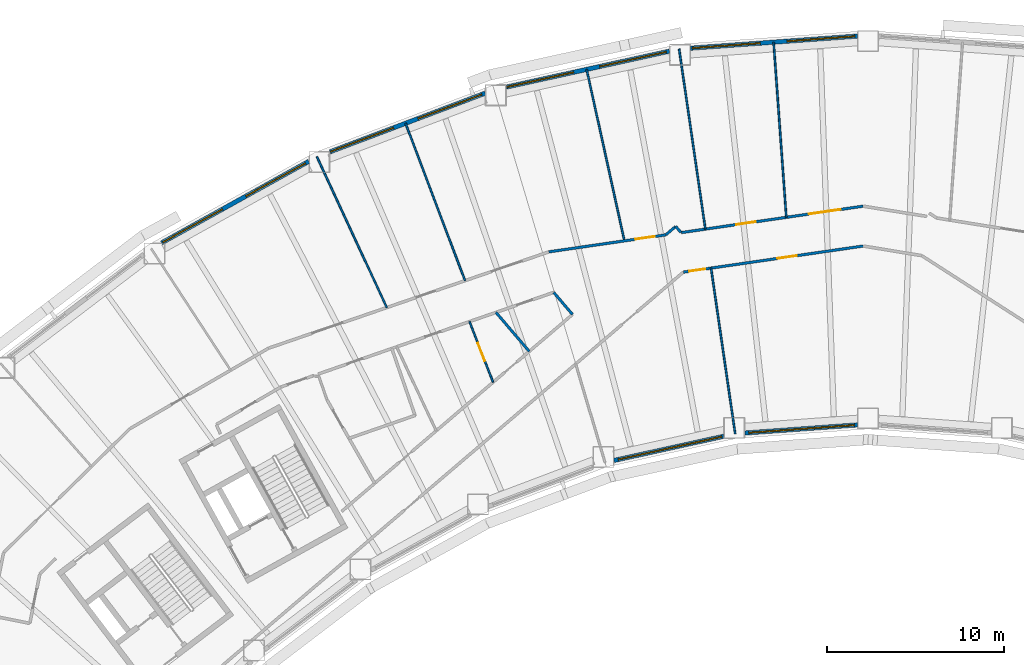
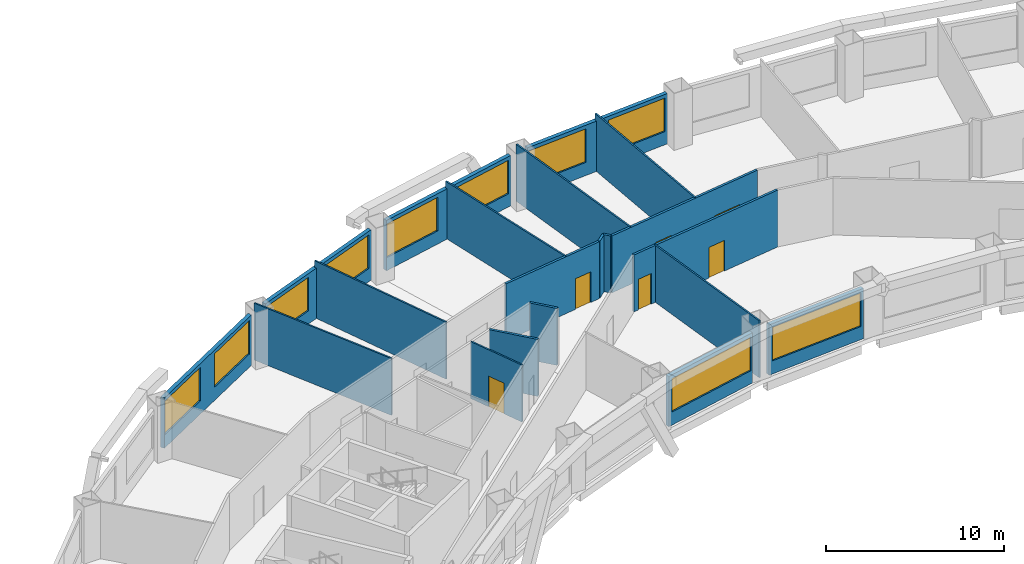
# One storey, part 5 of 15: 20 walls, 10 windows, 6 doors, 16 openings.
"""IFC4 building model written with IfcOpenShell, lengths in metres."""

from ifc_helpers import new_model, si_unit, direction, frame, frame_2d, origin, place, context, subcontext, project, spatial, rectangle, extrude, material, layer, layer_set, type_object, element, fill, save


model = new_model("IFC4")

# Units and contexts
model_context = context("Model", 3, precision=1e-05, world=origin(), true_north=direction((0.0, 1.0)))
body_context = subcontext(model_context, "Body", "Model", "MODEL_VIEW")
ifc_project = project(units=[si_unit("LENGTHUNIT", "METRE"), si_unit("AREAUNIT", "SQUARE_METRE"), si_unit("VOLUMEUNIT", "CUBIC_METRE"), si_unit("PLANEANGLEUNIT", "RADIAN"), si_unit("MASSUNIT", "GRAM", prefix="KILO")], contexts=[model_context])

# Site, building, storey
site_placement = place(None, origin())
site = spatial("IfcSite", under=ifc_project, at=site_placement, CompositionType="ELEMENT")
building_placement = place(site_placement, origin())
building = spatial("IfcBuilding", under=site, at=building_placement, Name="Tuul Gate Civic Tower", CompositionType="ELEMENT")
storey_placement = place(building_placement, frame((0.0, 0.0, 78.0)))
storey = spatial("IfcBuildingStorey", under=building, at=storey_placement, Name="Level 17", CompositionType="ELEMENT", Elevation=78.0)

# Wall, opening, door
ifc_material_1 = material(Name="Gypsum board partition")
ifc_layer_1 = layer(ifc_material_1, 0.14990234375)
ifc_layer_set_1 = layer_set([ifc_layer_1], Name="Gypsum board partition")
wall_type_1 = type_object("IfcWallType", Name="Corridor wall P150", PredefinedType="PARTITIONING", material=ifc_layer_set_1)
wall_1_placement = place(storey_placement, frame((-13.267333984375, 6.775634765625, 0.0), z_axis=(0.0, 0.0, 1.0), x_axis=(0.989601938801, 0.143833246233, 0.0)))
wall_1 = element("IfcWall", 1, at=wall_1_placement, inside=storey, type_object=wall_type_1, Name="p026", PredefinedType="PARTITIONING", context=body_context, shape_type="SweptSolid", body=[
    extrude(rectangle(XDim=6.687744140625, YDim=0.14990234375, at=frame_2d((3.34375, 0.0))), origin(), (0.0, 0.0, 1.0), 3.89990234375),
])
opening_1_placement = place(wall_1_placement, frame((4.95703125, 0.0, 0.0)))
opening_1 = element("IfcOpeningElement", 2, at=opening_1_placement, cuts=wall_1, Name="Opening E-D09", PredefinedType="OPENING", context=body_context, shape_type="SweptSolid", body=[
    extrude(rectangle(XDim=1.10009765625, YDim=2.10009765625, at=frame_2d((0.550048828125, 1.050048828125))), frame((0.0, 0.0849609375, 0.0), z_axis=(0.0, -1.0, 0.0), x_axis=(1.0, 0.0, 0.0)), (0.0, 0.0, 1.0), 0.169921875),
])
ifc_material_2 = material(Name="Timber door leaf", Category="wood")
door_type_1 = type_object("IfcDoorType", Name="Door D11", OperationType="NOTDEFINED", PredefinedType="DOOR", material=ifc_material_2)
door_1_placement = place(opening_1_placement, origin())
door_1 = element("IfcDoor", 3, at=door_1_placement, inside=storey, type_object=door_type_1, Name="Door E-D09", OperationType="SINGLE_SWING_LEFT", OverallHeight=2.10009765625, OverallWidth=1.10009765625, PredefinedType="DOOR", context=body_context, shape_type="SweptSolid", body=[
    extrude(rectangle(XDim=1.10009765625, YDim=2.10009765625, at=frame_2d((0.550048828125, 1.050048828125))), frame((0.0, 0.02490234375, 0.0), z_axis=(0.0, -1.0, 0.0), x_axis=(1.0, 0.0, 0.0)), (0.0, 0.0, 1.0), 0.050048828125),
])
fill(opening_1, door_1)

# Wall, openings, doors
wall_2_placement = place(storey_placement, frame((-5.7685546875, 7.865478515625, 0.0), z_axis=(0.0, 0.0, 1.0), x_axis=(0.98960308203, 0.143825380361, 0.0)))
wall_2 = element("IfcWall", 4, at=wall_2_placement, inside=storey, type_object=wall_type_1, Name="p027", PredefinedType="PARTITIONING", context=body_context, shape_type="SweptSolid", body=[
    extrude(rectangle(XDim=10.405517578125, YDim=0.14990234375, at=frame_2d((5.20263671875, 0.0))), origin(), (0.0, 0.0, 1.0), 3.89990234375),
])
opening_2_placement = place(wall_2_placement, frame((7.307373046875, 0.0, 0.0)))
opening_2 = element("IfcOpeningElement", 5, at=opening_2_placement, cuts=wall_2, Name="Opening E-D07", PredefinedType="OPENING", context=body_context, shape_type="SweptSolid", body=[
    extrude(rectangle(XDim=1.800048828125, YDim=2.10009765625, at=frame_2d((0.89990234375, 1.050048828125))), frame((0.0, 0.0849609375, 0.0), z_axis=(0.0, -1.0, 0.0), x_axis=(1.0, 0.0, 0.0)), (0.0, 0.0, 1.0), 0.169921875),
])
opening_3_placement = place(wall_2_placement, frame((3.144287109375, 0.0, 0.0)))
opening_3 = element("IfcOpeningElement", 6, at=opening_3_placement, cuts=wall_2, Name="Opening E-D08", PredefinedType="OPENING", context=body_context, shape_type="SweptSolid", body=[
    extrude(rectangle(XDim=1.10009765625, YDim=2.10009765625, at=frame_2d((0.550048828125, 1.050048828125))), frame((0.0, 0.0849609375, 0.0), z_axis=(0.0, -1.0, 0.0), x_axis=(1.0, 0.0, 0.0)), (0.0, 0.0, 1.0), 0.169921875),
])
door_2_placement = place(opening_3_placement, origin())
door_2 = element("IfcDoor", 7, at=door_2_placement, inside=storey, type_object=door_type_1, Name="Door E-D08", OperationType="SINGLE_SWING_RIGHT", OverallHeight=2.10009765625, OverallWidth=1.10009765625, PredefinedType="DOOR", context=body_context, shape_type="SweptSolid", body=[
    extrude(rectangle(XDim=1.10009765625, YDim=2.10009765625, at=frame_2d((0.550048828125, 1.050048828125))), frame((0.0, 0.02490234375, 0.0), z_axis=(0.0, -1.0, 0.0), x_axis=(1.0, 0.0, 0.0)), (0.0, 0.0, 1.0), 0.050048828125),
])
fill(opening_3, door_2)
ifc_material_3 = material(Name="Timber door leaf, double", Category="wood")
door_type_2 = type_object("IfcDoorType", Name="Door D18", OperationType="DOUBLE_DOOR_SINGLE_SWING", PredefinedType="DOOR", material=ifc_material_3)
door_3_placement = place(opening_2_placement, origin())
door_3 = element("IfcDoor", 8, at=door_3_placement, inside=storey, type_object=door_type_2, Name="Door E-D07", OperationType="DOUBLE_DOOR_SINGLE_SWING", OverallHeight=2.10009765625, OverallWidth=1.800048828125, PredefinedType="DOOR", context=body_context, shape_type="SweptSolid", body=[
    extrude(rectangle(XDim=1.800048828125, YDim=2.10009765625, at=frame_2d((0.89990234375, 1.050048828125))), frame((0.0, 0.02490234375, 0.0), z_axis=(0.0, -1.0, 0.0), x_axis=(1.0, 0.0, 0.0)), (0.0, 0.0, 1.0), 0.050048828125),
])
fill(opening_2, door_3)

# Walls
wall_3_placement = place(storey_placement, frame((-6.081298828125, 8.217529296875, 0.0), z_axis=(0.0, 0.0, 1.0), x_axis=(0.649239612562, -0.760583937169, 0.0)))
element("IfcWall", 9, at=wall_3_placement, inside=storey, type_object=wall_type_1, Name="p031", PredefinedType="PARTITIONING", context=body_context, shape_type="SweptSolid", body=[
    extrude(rectangle(XDim=0.453857421875, YDim=0.14990234375, at=frame_2d((0.22705078125, 0.0))), origin(), (0.0, 0.0, 1.0), 3.89990234375),
])
wall_4_placement = place(storey_placement, frame((-6.63916015625, 7.741943359375, 0.0), z_axis=(0.0, 0.0, 1.0), x_axis=(0.760712969529, 0.64908842078, 0.0)))
element("IfcWall", 10, at=wall_4_placement, inside=storey, type_object=wall_type_1, Name="p033", PredefinedType="PARTITIONING", context=body_context, shape_type="SweptSolid", body=[
    extrude(rectangle(XDim=0.732666015625, YDim=0.14990234375, at=frame_2d((0.3662109375, 0.0))), origin(), (0.0, 0.0, 1.0), 3.89990234375),
])

# Wall, openings, doors
wall_5_placement = place(storey_placement, frame((-5.643798828125, 5.62939453125, 0.0), z_axis=(0.0, 0.0, 1.0), x_axis=(0.989631274863, 0.143631263354, 0.0)))
wall_5 = element("IfcWall", 11, at=wall_5_placement, inside=storey, type_object=wall_type_1, Name="p047", PredefinedType="PARTITIONING", context=body_context, shape_type="SweptSolid", body=[
    extrude(rectangle(XDim=10.28369140625, YDim=0.14990234375, at=frame_2d((5.141845703125, 0.0))), origin(), (0.0, 0.0, 1.0), 3.89990234375),
])
opening_4_placement = place(wall_5_placement, frame((5.380859375, 0.0, 0.0)))
opening_4 = element("IfcOpeningElement", 12, at=opening_4_placement, cuts=wall_5, Name="Opening E-D29", PredefinedType="OPENING", context=body_context, shape_type="SweptSolid", body=[
    extrude(rectangle(XDim=1.10009765625, YDim=2.10009765625, at=frame_2d((0.550048828125, 1.050048828125))), frame((0.0, 0.0849609375, 0.0), z_axis=(0.0, -1.0, 0.0), x_axis=(1.0, 0.0, 0.0)), (0.0, 0.0, 1.0), 0.169921875),
])
opening_5_placement = place(wall_5_placement, frame((0.339111328125, 0.0, 0.0)))
opening_5 = element("IfcOpeningElement", 13, at=opening_5_placement, cuts=wall_5, Name="Opening E-D30", PredefinedType="OPENING", context=body_context, shape_type="SweptSolid", body=[
    extrude(rectangle(XDim=0.89990234375, YDim=2.10009765625, at=frame_2d((0.449951171875, 1.050048828125))), frame((0.0, 0.0849609375, 0.0), z_axis=(0.0, -1.0, 0.0), x_axis=(1.0, 0.0, 0.0)), (0.0, 0.0, 1.0), 0.169921875),
])
ifc_material_4 = material(Name="Timber door leaf", Category="wood")
door_type_3 = type_object("IfcDoorType", Name="Door D09", OperationType="NOTDEFINED", PredefinedType="DOOR", material=ifc_material_4)
door_4_placement = place(opening_5_placement, frame((0.89990234375, 0.0, 0.0), z_axis=(0.0, 0.0, 1.0), x_axis=(-1.0, 0.0, 0.0)))
door_4 = element("IfcDoor", 14, at=door_4_placement, inside=storey, type_object=door_type_3, Name="Door E-D30", OperationType="SINGLE_SWING_LEFT", OverallHeight=2.10009765625, OverallWidth=0.89990234375, PredefinedType="DOOR", context=body_context, shape_type="SweptSolid", body=[
    extrude(rectangle(XDim=0.89990234375, YDim=2.10009765625, at=frame_2d((0.449951171875, 1.050048828125))), frame((0.0, 0.02490234375, 0.0), z_axis=(0.0, -1.0, 0.0), x_axis=(1.0, 0.0, 0.0)), (0.0, 0.0, 1.0), 0.050048828125),
])
fill(opening_5, door_4)
door_5_placement = place(opening_4_placement, frame((1.10009765625, 0.0, 0.0), z_axis=(0.0, 0.0, 1.0), x_axis=(-1.0, 0.0, 0.0)))
door_5 = element("IfcDoor", 15, at=door_5_placement, inside=storey, type_object=door_type_1, Name="Door E-D29", OperationType="SINGLE_SWING_LEFT", OverallHeight=2.10009765625, OverallWidth=1.10009765625, PredefinedType="DOOR", context=body_context, shape_type="SweptSolid", body=[
    extrude(rectangle(XDim=1.10009765625, YDim=2.10009765625, at=frame_2d((0.550048828125, 1.050048828125))), frame((0.0, 0.02490234375, 0.0), z_axis=(0.0, -1.0, 0.0), x_axis=(1.0, 0.0, 0.0)), (0.0, 0.0, 1.0), 0.050048828125),
])
fill(opening_4, door_5)

# Walls
wall_6_placement = place(storey_placement, frame((-12.990478515625, 4.480712890625, 0.0), z_axis=(0.0, 0.0, 1.0), x_axis=(0.649161704446, -0.760650433169, 0.0)))
element("IfcWall", 16, at=wall_6_placement, inside=storey, type_object=wall_type_1, Name="p067", PredefinedType="PARTITIONING", context=body_context, shape_type="SweptSolid", body=[
    extrude(rectangle(XDim=1.642333984375, YDim=0.14990234375, at=frame_2d((0.8212890625, 0.0))), origin(), (0.0, 0.0, 1.0), 3.89990234375),
])
wall_7_placement = place(storey_placement, frame((-16.257080078125, 3.34814453125, 0.0), z_axis=(0.0, 0.0, 1.0), x_axis=(0.649161466591, -0.760650636162, 0.0)))
element("IfcWall", 17, at=wall_7_placement, inside=storey, type_object=wall_type_1, Name="p068", PredefinedType="PARTITIONING", context=body_context, shape_type="SweptSolid", body=[
    extrude(rectangle(XDim=2.901611328125, YDim=0.14990234375, at=frame_2d((1.45068359375, 0.0))), origin(), (0.0, 0.0, 1.0), 3.89990234375),
])

# Wall, openings, windows
ifc_material_5 = material(Name="Precast concrete C40/50", Category="concrete")
ifc_layer_2 = layer(ifc_material_5, 0.25)
ifc_layer_set_2 = layer_set([ifc_layer_2], Name="Precast concrete C40/50")
wall_type_2 = type_object("IfcWallType", Name="External wall", PredefinedType="STANDARD", material=ifc_layer_set_2)
wall_8_placement = place(storey_placement, frame((4.2080078125, 18.9892578125, 0.0), z_axis=(0.0, 0.0, 1.0), x_axis=(-0.997387702814, -0.072234135106, 0.0)))
wall_8 = element("IfcWall", 18, at=wall_8_placement, inside=storey, type_object=wall_type_2, Name="External wall", PredefinedType="STANDARD", context=body_context, shape_type="SweptSolid", body=[
    extrude(rectangle(XDim=9.4736328125, YDim=0.25, at=frame_2d((4.73681640625, 0.0))), origin(), (0.0, 0.0, 1.0), 3.449951171875),
])
opening_6_placement = place(wall_8_placement, frame((0.14990234375, 0.0, 0.89990234375)))
opening_6 = element("IfcOpeningElement", 19, at=opening_6_placement, cuts=wall_8, Name="Opening W22", PredefinedType="OPENING", context=body_context, shape_type="SweptSolid", body=[
    extrude(rectangle(XDim=3.85009765625, YDim=2.300048828125, at=frame_2d((1.925048828125, 1.14990234375))), frame((0.0, 0.135009765625, 0.0), z_axis=(0.0, -1.0, 0.0), x_axis=(1.0, 0.0, 0.0)), (0.0, 0.0, 1.0), 0.27001953125),
])
opening_7_placement = place(wall_8_placement, frame((5.52099609375, 0.0, 0.89990234375)))
opening_7 = element("IfcOpeningElement", 20, at=opening_7_placement, cuts=wall_8, Name="Opening W22", PredefinedType="OPENING", context=body_context, shape_type="SweptSolid", body=[
    extrude(rectangle(XDim=3.85009765625, YDim=2.300048828125, at=frame_2d((1.925048828125, 1.14990234375))), frame((0.0, 0.135009765625, 0.0), z_axis=(0.0, -1.0, 0.0), x_axis=(1.0, 0.0, 0.0)), (0.0, 0.0, 1.0), 0.27001953125),
])
ifc_material_6 = material(Name="Glass", Category="glass")
window_type_1 = type_object("IfcWindowType", Name="Window W22 3850 x 2300", PartitioningType="SINGLE_PANEL", PredefinedType="WINDOW", material=ifc_material_6)
window_1_placement = place(opening_6_placement, origin())
window_1 = element("IfcWindow", 21, at=window_1_placement, inside=storey, type_object=window_type_1, Name="Window", OverallHeight=2.300048828125, OverallWidth=3.85009765625, PartitioningType="SINGLE_PANEL", PredefinedType="WINDOW", context=body_context, shape_type="SweptSolid", body=[
    extrude(rectangle(XDim=3.85009765625, YDim=2.300048828125, at=frame_2d((1.925048828125, 1.14990234375))), frame((0.0, 0.030029296875, 0.0), z_axis=(0.0, -1.0, 0.0), x_axis=(1.0, 0.0, 0.0)), (0.0, 0.0, 1.0), 0.06005859375),
])
fill(opening_6, window_1)
window_2_placement = place(opening_7_placement, origin())
window_2 = element("IfcWindow", 22, at=window_2_placement, inside=storey, type_object=window_type_1, Name="Window", OverallHeight=2.300048828125, OverallWidth=3.85009765625, PartitioningType="SINGLE_PANEL", PredefinedType="WINDOW", context=body_context, shape_type="SweptSolid", body=[
    extrude(rectangle(XDim=3.85009765625, YDim=2.300048828125, at=frame_2d((1.925048828125, 1.14990234375))), frame((0.0, 0.030029296875, 0.0), z_axis=(0.0, -1.0, 0.0), x_axis=(1.0, 0.0, 0.0)), (0.0, 0.0, 1.0), 0.06005859375),
])
fill(opening_7, window_2)

wall_9_placement = place(storey_placement, frame((-6.44091796875, 18.135986328125, 0.0), z_axis=(0.0, 0.0, 1.0), x_axis=(-0.976566757171, -0.215214703934, 0.0)))
wall_9 = element("IfcWall", 23, at=wall_9_placement, inside=storey, type_object=wall_type_2, Name="External wall", PredefinedType="STANDARD", context=body_context, shape_type="SweptSolid", body=[
    extrude(rectangle(XDim=9.448486328125, YDim=0.25, at=frame_2d((4.72412109375, 0.0))), origin(), (0.0, 0.0, 1.0), 3.449951171875),
])
opening_8_placement = place(wall_9_placement, frame((0.185302734375, 0.0, 0.89990234375)))
opening_8 = element("IfcOpeningElement", 24, at=opening_8_placement, cuts=wall_9, Name="Opening W22", PredefinedType="OPENING", context=body_context, shape_type="SweptSolid", body=[
    extrude(rectangle(XDim=3.85009765625, YDim=2.300048828125, at=frame_2d((1.925048828125, 1.14990234375))), frame((0.0, 0.135009765625, 0.0), z_axis=(0.0, -1.0, 0.0), x_axis=(1.0, 0.0, 0.0)), (0.0, 0.0, 1.0), 0.27001953125),
])
opening_9_placement = place(wall_9_placement, frame((5.556640625, 0.0, 0.89990234375)))
opening_9 = element("IfcOpeningElement", 25, at=opening_9_placement, cuts=wall_9, Name="Opening W22", PredefinedType="OPENING", context=body_context, shape_type="SweptSolid", body=[
    extrude(rectangle(XDim=3.85009765625, YDim=2.300048828125, at=frame_2d((1.925048828125, 1.14990234375))), frame((0.0, 0.135009765625, 0.0), z_axis=(0.0, -1.0, 0.0), x_axis=(1.0, 0.0, 0.0)), (0.0, 0.0, 1.0), 0.27001953125),
])
window_3_placement = place(opening_8_placement, origin())
window_3 = element("IfcWindow", 26, at=window_3_placement, inside=storey, type_object=window_type_1, Name="Window", OverallHeight=2.300048828125, OverallWidth=3.85009765625, PartitioningType="SINGLE_PANEL", PredefinedType="WINDOW", context=body_context, shape_type="SweptSolid", body=[
    extrude(rectangle(XDim=3.85009765625, YDim=2.300048828125, at=frame_2d((1.925048828125, 1.14990234375))), frame((0.0, 0.030029296875, 0.0), z_axis=(0.0, -1.0, 0.0), x_axis=(1.0, 0.0, 0.0)), (0.0, 0.0, 1.0), 0.06005859375),
])
fill(opening_8, window_3)
window_4_placement = place(opening_9_placement, origin())
window_4 = element("IfcWindow", 27, at=window_4_placement, inside=storey, type_object=window_type_1, Name="Window", OverallHeight=2.300048828125, OverallWidth=3.85009765625, PartitioningType="SINGLE_PANEL", PredefinedType="WINDOW", context=body_context, shape_type="SweptSolid", body=[
    extrude(rectangle(XDim=3.85009765625, YDim=2.300048828125, at=frame_2d((1.925048828125, 1.14990234375))), frame((0.0, 0.030029296875, 0.0), z_axis=(0.0, -1.0, 0.0), x_axis=(1.0, 0.0, 0.0)), (0.0, 0.0, 1.0), 0.06005859375),
])
fill(opening_9, window_4)

wall_10_placement = place(storey_placement, frame((-16.867919921875, 15.75830078125, 0.0), z_axis=(0.0, 0.0, 1.0), x_axis=(-0.935342969648, -0.353742178897, 0.0)))
wall_10 = element("IfcWall", 28, at=wall_10_placement, inside=storey, type_object=wall_type_2, Name="External wall", PredefinedType="STANDARD", context=body_context, shape_type="SweptSolid", body=[
    extrude(rectangle(XDim=9.39453125, YDim=0.25, at=frame_2d((4.697265625, 0.0))), origin(), (0.0, 0.0, 1.0), 3.449951171875),
])
opening_10_placement = place(wall_10_placement, frame((0.209716796875, 0.0, 0.89990234375)))
opening_10 = element("IfcOpeningElement", 29, at=opening_10_placement, cuts=wall_10, Name="Opening W22", PredefinedType="OPENING", context=body_context, shape_type="SweptSolid", body=[
    extrude(rectangle(XDim=3.85009765625, YDim=2.300048828125, at=frame_2d((1.925048828125, 1.14990234375))), frame((0.0, 0.135009765625, 0.0), z_axis=(0.0, -1.0, 0.0), x_axis=(1.0, 0.0, 0.0)), (0.0, 0.0, 1.0), 0.27001953125),
])
opening_11_placement = place(wall_10_placement, frame((5.549072265625, 0.0, 0.89990234375)))
opening_11 = element("IfcOpeningElement", 30, at=opening_11_placement, cuts=wall_10, Name="Opening W100", PredefinedType="OPENING", context=body_context, shape_type="SweptSolid", body=[
    extrude(rectangle(XDim=3.800048828125, YDim=2.300048828125, at=frame_2d((1.89990234375, 1.14990234375))), frame((0.0, 0.135009765625, 0.0), z_axis=(0.0, -1.0, 0.0), x_axis=(1.0, 0.0, 0.0)), (0.0, 0.0, 1.0), 0.27001953125),
])
ifc_material_7 = material(Name="Glass", Category="glass")
window_type_2 = type_object("IfcWindowType", Name="Window W100 3800 x 2300", PartitioningType="SINGLE_PANEL", PredefinedType="WINDOW", material=ifc_material_7)
window_5_placement = place(opening_11_placement, origin())
window_5 = element("IfcWindow", 31, at=window_5_placement, inside=storey, type_object=window_type_2, Name="Window", OverallHeight=2.300048828125, OverallWidth=3.800048828125, PartitioningType="SINGLE_PANEL", PredefinedType="WINDOW", context=body_context, shape_type="SweptSolid", body=[
    extrude(rectangle(XDim=3.800048828125, YDim=2.300048828125, at=frame_2d((1.89990234375, 1.14990234375))), frame((0.0, 0.030029296875, 0.0), z_axis=(0.0, -1.0, 0.0), x_axis=(1.0, 0.0, 0.0)), (0.0, 0.0, 1.0), 0.06005859375),
])
fill(opening_11, window_5)
window_6_placement = place(opening_10_placement, origin())
window_6 = element("IfcWindow", 32, at=window_6_placement, inside=storey, type_object=window_type_1, Name="Window", OverallHeight=2.300048828125, OverallWidth=3.85009765625, PartitioningType="SINGLE_PANEL", PredefinedType="WINDOW", context=body_context, shape_type="SweptSolid", body=[
    extrude(rectangle(XDim=3.85009765625, YDim=2.300048828125, at=frame_2d((1.925048828125, 1.14990234375))), frame((0.0, 0.030029296875, 0.0), z_axis=(0.0, -1.0, 0.0), x_axis=(1.0, 0.0, 0.0)), (0.0, 0.0, 1.0), 0.06005859375),
])
fill(opening_10, window_6)

wall_11_placement = place(storey_placement, frame((-26.85498046875, 11.89990234375, 0.0), z_axis=(0.0, 0.0, 1.0), x_axis=(-0.874624944876, -0.484800170999, 0.0)))
wall_11 = element("IfcWall", 33, at=wall_11_placement, inside=storey, type_object=wall_type_2, Name="External wall", PredefinedType="STANDARD", context=body_context, shape_type="SweptSolid", body=[
    extrude(rectangle(XDim=9.521484375, YDim=0.25, at=frame_2d((4.7607421875, 0.0))), origin(), (0.0, 0.0, 1.0), 3.449951171875),
])
opening_12_placement = place(wall_11_placement, frame((0.22265625, 0.0, 0.89990234375)))
opening_12 = element("IfcOpeningElement", 34, at=opening_12_placement, cuts=wall_11, Name="Opening W22", PredefinedType="OPENING", context=body_context, shape_type="SweptSolid", body=[
    extrude(rectangle(XDim=3.85009765625, YDim=2.300048828125, at=frame_2d((1.925048828125, 1.14990234375))), frame((0.0, 0.135009765625, 0.0), z_axis=(0.0, -1.0, 0.0), x_axis=(1.0, 0.0, 0.0)), (0.0, 0.0, 1.0), 0.27001953125),
])
opening_13_placement = place(wall_11_placement, frame((5.593994140625, 0.0, 0.89990234375)))
opening_13 = element("IfcOpeningElement", 35, at=opening_13_placement, cuts=wall_11, Name="Opening W22", PredefinedType="OPENING", context=body_context, shape_type="SweptSolid", body=[
    extrude(rectangle(XDim=3.85009765625, YDim=2.300048828125, at=frame_2d((1.925048828125, 1.14990234375))), frame((0.0, 0.135009765625, 0.0), z_axis=(0.0, -1.0, 0.0), x_axis=(1.0, 0.0, 0.0)), (0.0, 0.0, 1.0), 0.27001953125),
])
window_7_placement = place(opening_12_placement, origin())
window_7 = element("IfcWindow", 36, at=window_7_placement, inside=storey, type_object=window_type_1, Name="Window", OverallHeight=2.300048828125, OverallWidth=3.85009765625, PartitioningType="SINGLE_PANEL", PredefinedType="WINDOW", context=body_context, shape_type="SweptSolid", body=[
    extrude(rectangle(XDim=3.85009765625, YDim=2.300048828125, at=frame_2d((1.925048828125, 1.14990234375))), frame((0.0, 0.030029296875, 0.0), z_axis=(0.0, -1.0, 0.0), x_axis=(1.0, 0.0, 0.0)), (0.0, 0.0, 1.0), 0.06005859375),
])
fill(opening_12, window_7)
window_8_placement = place(opening_13_placement, origin())
window_8 = element("IfcWindow", 37, at=window_8_placement, inside=storey, type_object=window_type_1, Name="Window", OverallHeight=2.300048828125, OverallWidth=3.85009765625, PartitioningType="SINGLE_PANEL", PredefinedType="WINDOW", context=body_context, shape_type="SweptSolid", body=[
    extrude(rectangle(XDim=3.85009765625, YDim=2.300048828125, at=frame_2d((1.925048828125, 1.14990234375))), frame((0.0, 0.030029296875, 0.0), z_axis=(0.0, -1.0, 0.0), x_axis=(1.0, 0.0, 0.0)), (0.0, 0.0, 1.0), 0.06005859375),
])
fill(opening_13, window_8)

# Wall, opening, window
wall_12_placement = place(storey_placement, frame((-9.576904296875, -5.031982421875, 0.0), z_axis=(0.0, 0.0, 1.0), x_axis=(0.976560321841, 0.215243903065, 0.0)))
wall_12 = element("IfcWall", 38, at=wall_12_placement, inside=storey, type_object=wall_type_2, Name="External wall", PredefinedType="STANDARD", context=body_context, shape_type="SweptSolid", body=[
    extrude(rectangle(XDim=6.362060546875, YDim=0.25, at=frame_2d((3.18115234375, 0.0))), origin(), (0.0, 0.0, 1.0), 3.449951171875),
])
opening_14_placement = place(wall_12_placement, frame((0.25244140625, 0.0, 0.89990234375)))
opening_14 = element("IfcOpeningElement", 39, at=opening_14_placement, cuts=wall_12, Name="Opening W26", PredefinedType="OPENING", context=body_context, shape_type="SweptSolid", body=[
    extrude(rectangle(XDim=6.0, YDim=2.300048828125, at=frame_2d((3.0, 1.14990234375))), frame((0.0, 0.135009765625, 0.0), z_axis=(0.0, -1.0, 0.0), x_axis=(1.0, 0.0, 0.0)), (0.0, 0.0, 1.0), 0.27001953125),
])
ifc_material_8 = material(Name="Glass", Category="glass")
window_type_3 = type_object("IfcWindowType", Name="Window W26 6000 x 2300", PartitioningType="SINGLE_PANEL", PredefinedType="WINDOW", material=ifc_material_8)
window_9_placement = place(opening_14_placement, origin())
window_9 = element("IfcWindow", 40, at=window_9_placement, inside=storey, type_object=window_type_3, Name="Window", OverallHeight=2.300048828125, OverallWidth=6.0, PartitioningType="SINGLE_PANEL", PredefinedType="WINDOW", context=body_context, shape_type="SweptSolid", body=[
    extrude(rectangle(XDim=6.0, YDim=2.300048828125, at=frame_2d((3.0, 1.14990234375))), frame((0.0, 0.030029296875, 0.0), z_axis=(0.0, -1.0, 0.0), x_axis=(1.0, 0.0, 0.0)), (0.0, 0.0, 1.0), 0.06005859375),
])
fill(opening_14, window_9)

wall_13_placement = place(storey_placement, frame((-2.1640625, -3.47998046875, 0.0), z_axis=(0.0, 0.0, 1.0), x_axis=(0.997382879348, 0.072300705277, 0.0)))
wall_13 = element("IfcWall", 41, at=wall_13_placement, inside=storey, type_object=wall_type_2, Name="External wall", PredefinedType="STANDARD", context=body_context, shape_type="SweptSolid", body=[
    extrude(rectangle(XDim=6.388671875, YDim=0.25, at=frame_2d((3.1943359375, 0.0))), origin(), (0.0, 0.0, 1.0), 3.449951171875),
])
opening_15_placement = place(wall_13_placement, frame((0.2177734375, 0.0, 0.89990234375)))
opening_15 = element("IfcOpeningElement", 42, at=opening_15_placement, cuts=wall_13, Name="Opening W26", PredefinedType="OPENING", context=body_context, shape_type="SweptSolid", body=[
    extrude(rectangle(XDim=6.0, YDim=2.300048828125, at=frame_2d((3.0, 1.14990234375))), frame((0.0, 0.135009765625, 0.0), z_axis=(0.0, -1.0, 0.0), x_axis=(1.0, 0.0, 0.0)), (0.0, 0.0, 1.0), 0.27001953125),
])
window_10_placement = place(opening_15_placement, origin())
window_10 = element("IfcWindow", 43, at=window_10_placement, inside=storey, type_object=window_type_3, Name="Window", OverallHeight=2.300048828125, OverallWidth=6.0, PartitioningType="SINGLE_PANEL", PredefinedType="WINDOW", context=body_context, shape_type="SweptSolid", body=[
    extrude(rectangle(XDim=6.0, YDim=2.300048828125, at=frame_2d((3.0, 1.14990234375))), frame((0.0, 0.030029296875, 0.0), z_axis=(0.0, -1.0, 0.0), x_axis=(1.0, 0.0, 0.0)), (0.0, 0.0, 1.0), 0.06005859375),
])
fill(opening_15, window_10)

# Walls
ifc_material_9 = material(Name="Gypsum board partition")
ifc_layer_3 = layer(ifc_material_9, 0.10009765625)
ifc_layer_set_3 = layer_set([ifc_layer_3], Name="Gypsum board partition")
wall_type_3 = type_object("IfcWallType", Name="Partition P100", PredefinedType="PARTITIONING", material=ifc_layer_set_3)
wall_14_placement = place(storey_placement, frame((-0.540283203125, 18.650390625, 0.0), z_axis=(0.0, 0.0, 1.0), x_axis=(0.072236042888, -0.997387564645, 0.0)))
element("IfcWall", 44, at=wall_14_placement, inside=storey, type_object=wall_type_3, Name="p023", PredefinedType="PARTITIONING", context=body_context, shape_type="SweptSolid", body=[
    extrude(rectangle(XDim=9.946533203125, YDim=0.10009765625, at=frame_2d((4.97314453125, 0.0))), origin(), (0.0, 0.0, 1.0), 3.89990234375),
])
wall_15_placement = place(storey_placement, frame((-5.888916015625, 18.262939453125, 0.0), z_axis=(0.0, 0.0, 1.0), x_axis=(0.144116984792, -0.98956065741, 0.0)))
element("IfcWall", 45, at=wall_15_placement, inside=storey, type_object=wall_type_3, Name="p028", PredefinedType="PARTITIONING", context=body_context, shape_type="SweptSolid", body=[
    extrude(rectangle(XDim=10.306640625, YDim=0.10009765625, at=frame_2d((5.1533203125, 0.0))), origin(), (0.0, 0.0, 1.0), 3.89990234375),
])
wall_16_placement = place(storey_placement, frame((-4.08203125, 5.85595703125, 0.0), z_axis=(0.0, 0.0, 1.0), x_axis=(0.14411775992, -0.989560544523, 0.0)))
element("IfcWall", 46, at=wall_16_placement, inside=storey, type_object=wall_type_3, Name="p029", PredefinedType="PARTITIONING", context=body_context, shape_type="SweptSolid", body=[
    extrude(rectangle(XDim=9.479736328125, YDim=0.10009765625, at=frame_2d((4.73974609375, 0.0))), origin(), (0.0, 0.0, 1.0), 3.89990234375),
])
wall_17_placement = place(storey_placement, frame((-11.125732421875, 17.10888671875, 0.0), z_axis=(0.0, 0.0, 1.0), x_axis=(0.215219598207, -0.976565678563, 0.0)))
element("IfcWall", 47, at=wall_17_placement, inside=storey, type_object=wall_type_3, Name="p030", PredefinedType="PARTITIONING", context=body_context, shape_type="SweptSolid", body=[
    extrude(rectangle(XDim=9.94384765625, YDim=0.10009765625, at=frame_2d((4.971923828125, 0.0))), origin(), (0.0, 0.0, 1.0), 3.89990234375),
])
wall_18_placement = place(storey_placement, frame((-21.378662109375, 14.0576171875, 0.0), z_axis=(0.0, 0.0, 1.0), x_axis=(0.353727923549, -0.935348360827, 0.0)))
element("IfcWall", 48, at=wall_18_placement, inside=storey, type_object=wall_type_3, Name="p034", PredefinedType="PARTITIONING", context=body_context, shape_type="SweptSolid", body=[
    extrude(rectangle(XDim=9.528076171875, YDim=0.10009765625, at=frame_2d((4.76416015625, 0.0))), origin(), (0.0, 0.0, 1.0), 3.89990234375),
])
wall_19_placement = place(storey_placement, frame((-26.39453125, 12.160888671875, 0.0), z_axis=(0.0, 0.0, 1.0), x_axis=(0.420345894439, -0.907363945189, 0.0)))
element("IfcWall", 49, at=wall_19_placement, inside=storey, type_object=wall_type_3, Name="p036", PredefinedType="PARTITIONING", context=body_context, shape_type="SweptSolid", body=[
    extrude(rectangle(XDim=9.410888671875, YDim=0.10009765625, at=frame_2d((4.70556640625, 0.0))), origin(), (0.0, 0.0, 1.0), 3.89990234375),
])

# Wall, opening, door
wall_20_placement = place(storey_placement, frame((-17.754638671875, 2.828857421875, 0.0), z_axis=(0.0, 0.0, 1.0), x_axis=(0.36242707317, -0.932012133308, 0.0)))
wall_20 = element("IfcWall", 50, at=wall_20_placement, inside=storey, type_object=wall_type_3, Name="p072", PredefinedType="PARTITIONING", context=body_context, shape_type="SweptSolid", body=[
    extrude(rectangle(XDim=3.68408203125, YDim=0.10009765625, at=frame_2d((1.842041015625, 0.0))), origin(), (0.0, 0.0, 1.0), 3.89990234375),
])
opening_16_placement = place(wall_20_placement, frame((1.2919921875, 0.0, 0.0)))
opening_16 = element("IfcOpeningElement", 51, at=opening_16_placement, cuts=wall_20, Name="Opening E-D33", PredefinedType="OPENING", context=body_context, shape_type="SweptSolid", body=[
    extrude(rectangle(XDim=1.10009765625, YDim=2.10009765625, at=frame_2d((0.550048828125, 1.050048828125))), frame((0.0, 0.06005859375, 0.0), z_axis=(0.0, -1.0, 0.0), x_axis=(1.0, 0.0, 0.0)), (0.0, 0.0, 1.0), 0.1201171875),
])
door_6_placement = place(opening_16_placement, frame((1.10009765625, 0.0, 0.0), z_axis=(0.0, 0.0, 1.0), x_axis=(-1.0, 0.0, 0.0)))
door_6 = element("IfcDoor", 52, at=door_6_placement, inside=storey, type_object=door_type_1, Name="Door E-D33", OperationType="SINGLE_SWING_LEFT", OverallHeight=2.10009765625, OverallWidth=1.10009765625, PredefinedType="DOOR", context=body_context, shape_type="SweptSolid", body=[
    extrude(rectangle(XDim=1.10009765625, YDim=2.10009765625, at=frame_2d((0.550048828125, 1.050048828125))), frame((0.0, 0.02490234375, 0.0), z_axis=(0.0, -1.0, 0.0), x_axis=(1.0, 0.0, 0.0)), (0.0, 0.0, 1.0), 0.050048828125),
])
fill(opening_16, door_6)

save(model, "model.ifc")
